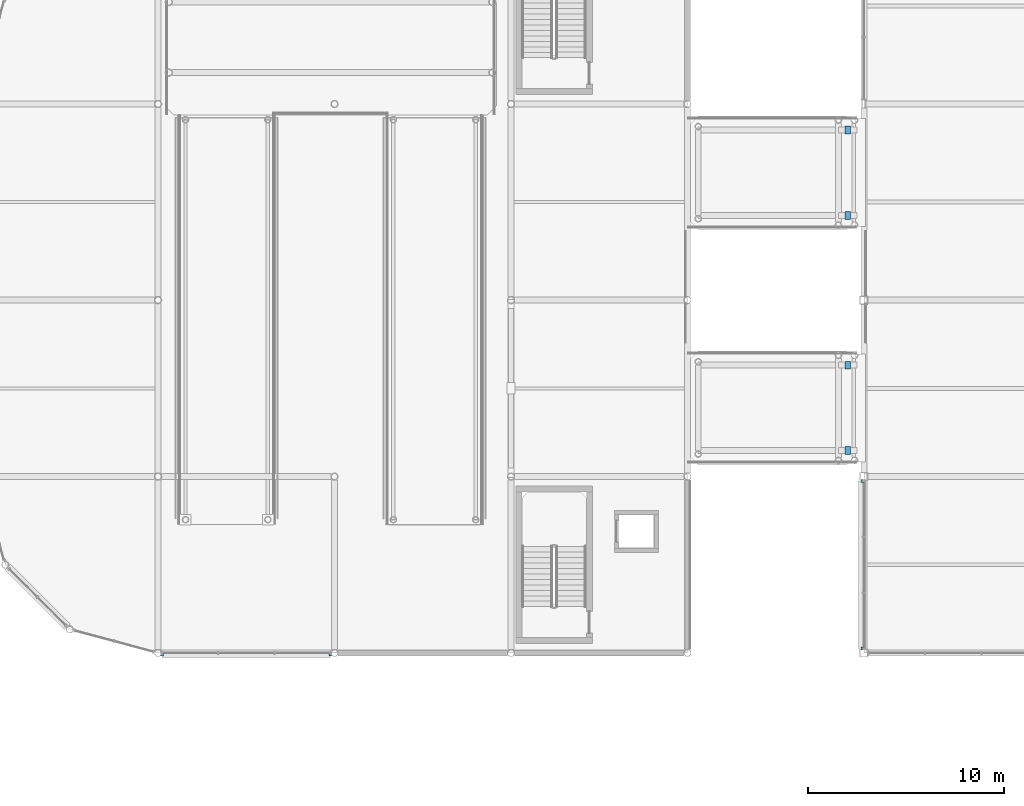
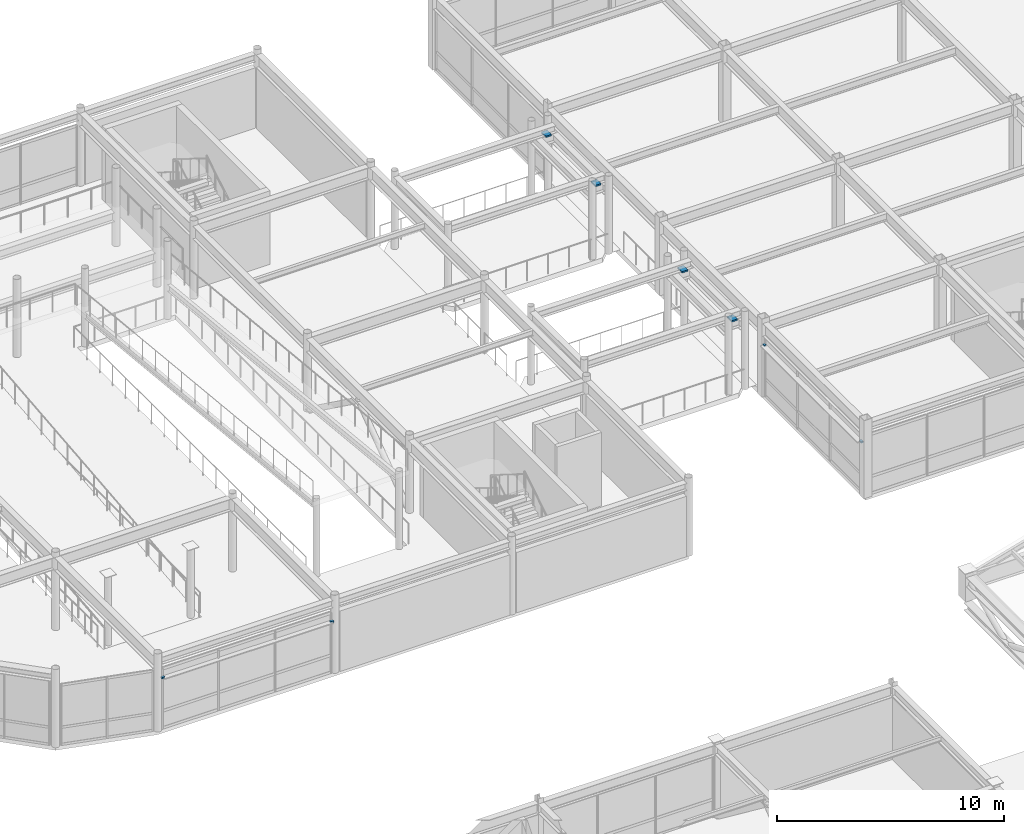
# One storey, part 87 of 108: 8 discrete accessories.
"""IFC4 building model written with IfcOpenShell, lengths in metres."""

from ifc_helpers import new_model, si_unit, direction, frame, origin, origin_2d, place, context, subcontext, project, spatial, rectangle, extrude, material, type_object, element, save


model = new_model("IFC4")

# Units and contexts
model_context = context("Model", 3, precision=1e-05, world=origin(), true_north=direction((0.0, 1.0)))
body_context = subcontext(model_context, "Body", "Model", "MODEL_VIEW")
ifc_project = project(units=[si_unit("LENGTHUNIT", "METRE"), si_unit("AREAUNIT", "SQUARE_METRE"), si_unit("VOLUMEUNIT", "CUBIC_METRE"), si_unit("PLANEANGLEUNIT", "RADIAN"), si_unit("MASSUNIT", "GRAM", prefix="KILO")], contexts=[model_context])

# Site, building, storey
site_placement = place(None, origin())
site = spatial("IfcSite", under=ifc_project, at=site_placement, CompositionType="ELEMENT")
building_placement = place(site_placement, origin())
building = spatial("IfcBuilding", under=site, at=building_placement, Name="Suzunagisa Mobility Hub", CompositionType="ELEMENT")
storey_placement = place(building_placement, frame((0.0, 0.0, 9.300048828125)))
storey = spatial("IfcBuildingStorey", under=building, at=storey_placement, Name="L02", CompositionType="ELEMENT", Elevation=9.300048828125)

# Discrete accessories
ifc_material_1 = material(Name="Stainless Steel SUS316", Category="metal")
discrete_accessory_type_1 = type_object("IfcDiscreteAccessoryType", Name="Stainless Sunshade Outrigger Bracket BRK-01", PredefinedType="BRACKET", material=ifc_material_1)
for number, where, z_axis, x_axis, name in (
    (1, (9.207763671875, 79.9150390625, 2.760009765625), (0.0, 0.0, 1.0), (1.0, 0.0, 0.0), "Sunshade Outrigger Bracket BRK-14.1"),
    (2, (17.792236328125, 79.9150390625, 2.760009765625), (0.0, 0.0, 1.0), (1.0, 0.0, 0.0), "Sunshade Outrigger Bracket BRK-14.2"),
    (3, (44.9150390625, 88.77001953125, 2.760009765625), (0.0, 0.0, 1.0), (0.0, -1.0, 0.0), "Sunshade Outrigger Bracket BRK-24.1"),
    (4, (44.9150390625, 80.22998046875, 2.760009765625), (0.0, 0.0, 1.0), (0.0, -1.0, 0.0), "Sunshade Outrigger Bracket BRK-24.2"),
):
    element("IfcDiscreteAccessory", number, at=place(storey_placement, frame(where, z_axis=z_axis, x_axis=x_axis)), inside=storey, type_object=discrete_accessory_type_1, Name=name, PredefinedType="BRACKET", context=body_context, shape_type="SweptSolid", body=[
        extrude(rectangle(XDim=0.159912109375, YDim=0.1201171875, at=origin_2d()), origin(), (0.0, 0.0, 1.0), 0.080078125),
    ])
ifc_material_2 = material(Name="PTFE Elastomeric Bearing Assembly")
discrete_accessory_type_2 = type_object("IfcDiscreteAccessoryType", Name="Unguided PTFE Sliding Bearing SBG-01", PredefinedType="SHOE", material=ifc_material_2)
for number, where, z_axis, x_axis, name in (
    (5, (44.175048828125, 90.320068359375, 3.510009765625), (0.0, 0.0, 1.0), (1.0, 0.0, 0.0), "Skybridge PTFE Sliding Bearing VRL-L03-S-A"),
    (6, (44.175048828125, 94.679931640625, 3.510009765625), (0.0, 0.0, 1.0), (1.0, 0.0, 0.0), "Skybridge PTFE Sliding Bearing VRL-L03-S-B"),
    (7, (44.175048828125, 102.320068359375, 3.510009765625), (0.0, 0.0, 1.0), (1.0, 0.0, 0.0), "Skybridge PTFE Sliding Bearing VRL-L03-N-A"),
    (8, (44.175048828125, 106.679931640625, 3.510009765625), (0.0, 0.0, 1.0), (1.0, 0.0, 0.0), "Skybridge PTFE Sliding Bearing VRL-L03-N-B"),
):
    element("IfcDiscreteAccessory", number, at=place(storey_placement, frame(where, z_axis=z_axis, x_axis=x_axis)), inside=storey, type_object=discrete_accessory_type_2, Name=name, PredefinedType="SHOE", context=body_context, shape_type="SweptSolid", body=[
        extrude(rectangle(XDim=0.300048828125, YDim=0.39990234375, at=origin_2d()), origin(), (0.0, 0.0, 1.0), 0.080078125),
    ])

save(model, "model.ifc")
